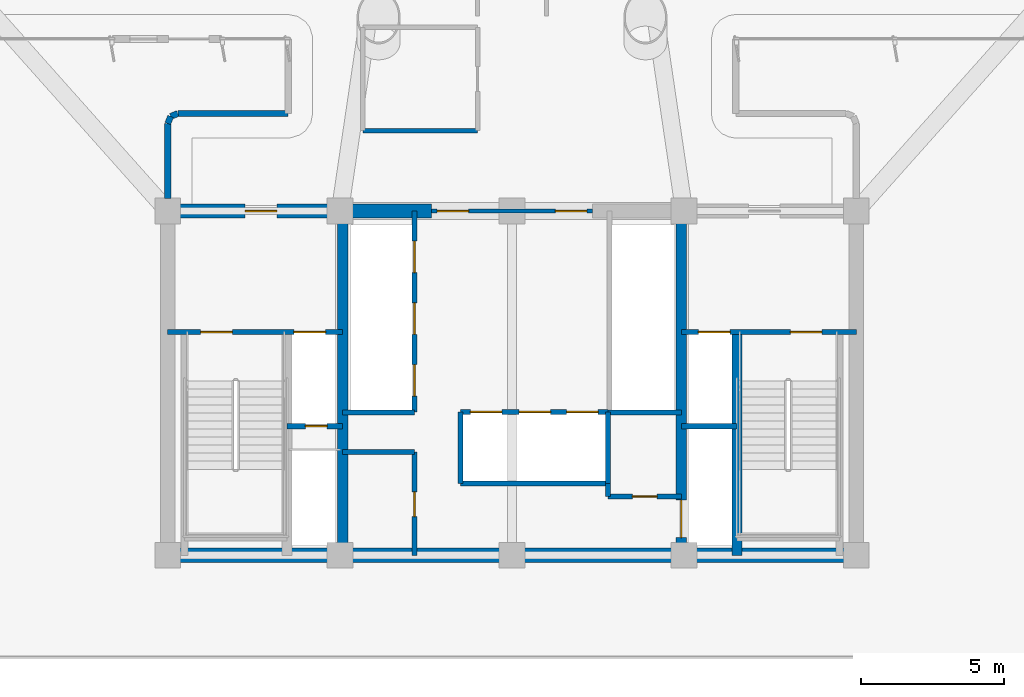
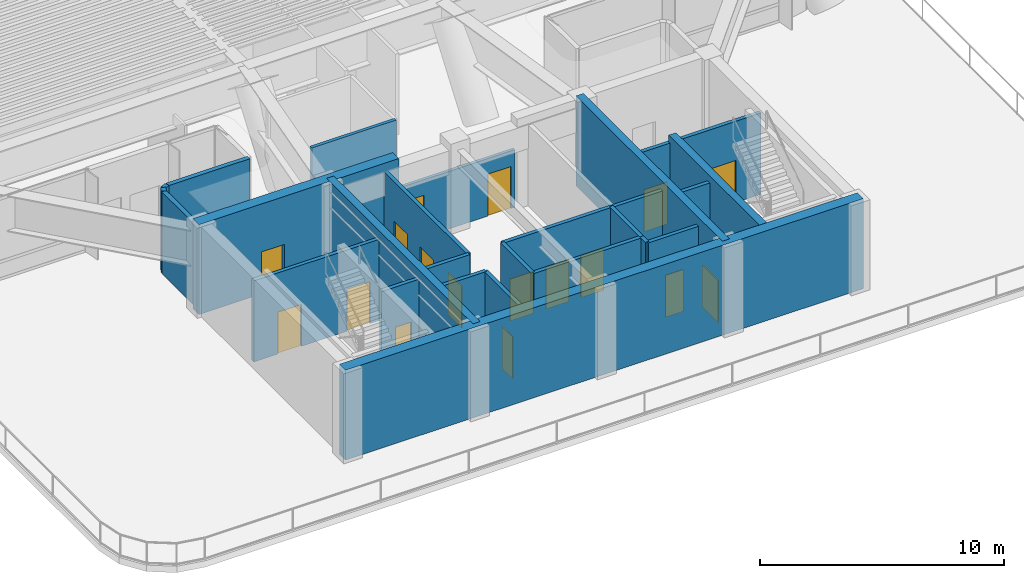
# One storey, part 8 of 14: 26 walls, 17 doors, 17 openings.
"""IFC4 building model written with IfcOpenShell, lengths in metres."""

from ifc_helpers import new_model, si_unit, direction, frame, frame_2d, origin, origin_2d, place, context, subcontext, project, spatial, rectangle, extrude, source, transform, mapped, material, layer, layer_set, type_object, element, fill, save


model = new_model("IFC4")

# Units and contexts
model_context = context("Model", 3, precision=1e-05, world=origin(), true_north=direction((0.0, 1.0)))
body_context = subcontext(model_context, "Body", "Model", "MODEL_VIEW")
ifc_project = project(units=[si_unit("LENGTHUNIT", "METRE"), si_unit("AREAUNIT", "SQUARE_METRE"), si_unit("VOLUMEUNIT", "CUBIC_METRE"), si_unit("PLANEANGLEUNIT", "RADIAN"), si_unit("MASSUNIT", "GRAM", prefix="KILO")], contexts=[model_context])

# Site, building, storey
site_placement = place(None, origin())
site = spatial("IfcSite", under=ifc_project, at=site_placement, CompositionType="ELEMENT")
building_placement = place(site_placement, origin())
building = spatial("IfcBuilding", under=site, at=building_placement, Name="Brelvock Crest Care Tower", CompositionType="ELEMENT")
storey_placement = place(building_placement, frame((0.0, 0.0, 85.320068359375)))
storey = spatial("IfcBuildingStorey", under=building, at=storey_placement, Name="L21", CompositionType="ELEMENT", Elevation=85.320068359375)

# Wall
ifc_material_1 = material(Name="Concrete S80 (80 MPa)", Category="concrete")
ifc_layer_1 = layer(ifc_material_1, 0.5, Name="WL-CS2")
ifc_layer_set_1 = layer_set([ifc_layer_1], Name="Concrete S80 (80 MPa)")
wall_type_1 = type_object("IfcWallType", Name="WL-CS2", PredefinedType="SHEAR", material=ifc_layer_set_1)
wall_1_placement = place(storey_placement, frame((48.25, 6.0, 0.0), z_axis=(0.0, 0.0, 1.0), x_axis=(-1.0, 0.0, 0.0)))
element("IfcWall", 1, at=wall_1_placement, inside=storey, type_object=wall_type_1, Name="L21 Core South Shear Wall", PredefinedType="SHEAR", context=body_context, shape_type="SweptSolid", body=[
    extrude(rectangle(XDim=24.5, YDim=0.5, at=frame_2d((12.25, 0.0))), origin(), (0.0, 0.0, 1.0), 4.5),
])

# Wall, opening, door
wall_2_placement = place(storey_placement, frame((23.75, 18.0, 0.0), z_axis=(0.0, 0.0, 1.0), x_axis=(1.0, 0.0, 0.0)))
wall_2 = element("IfcWall", 2, at=wall_2_placement, inside=storey, type_object=wall_type_1, Name="L21 Core North-West Shear Wall", PredefinedType="SHEAR", context=body_context, shape_type="SweptSolid", body=[
    extrude(rectangle(XDim=9.449951171875, YDim=0.5, at=frame_2d((4.72509765625, 0.0))), origin(), (0.0, 0.0, 1.0), 4.5),
])
opening_1_placement = place(wall_2_placement, frame((2.949951171875, 0.0, 0.0)))
opening_1 = element("IfcOpeningElement", 3, at=opening_1_placement, cuts=wall_2, Name="Opening FD-1", PredefinedType="OPENING", context=body_context, shape_type="SweptSolid", body=[
    extrude(rectangle(XDim=1.10009765625, YDim=2.10009765625, at=origin_2d()), frame((0.550048828125, 0.260009765625, 1.050048828125), z_axis=(0.0, -1.0, 0.0), x_axis=(1.0, 0.0, 0.0)), (0.0, 0.0, 1.0), 0.52001953125),
])
ifc_material_2 = material(Name="Steel Grade 350", Category="steel")
door_type_1 = type_object("IfcDoorType", Name="DR-FFL1", OperationType="NOTDEFINED", PredefinedType="DOOR", material=ifc_material_2)
shared_shape_1 = source(origin(), body_context, "Body", "SweptSolid", [
    extrude(rectangle(XDim=1.10009765625, YDim=2.10009765625, at=origin_2d()), frame((0.550048828125, 0.02490234375, 1.050048828125), z_axis=(0.0, -1.0, 0.0), x_axis=(1.0, 0.0, 0.0)), (0.0, 0.0, 1.0), 0.050048828125),
])
door_1_placement = place(opening_1_placement, origin())
door_1 = element("IfcDoor", 4, at=door_1_placement, inside=storey, type_object=door_type_1, Name="L21 Firefighting Lobby FFL-1 Exit Door", OperationType="SINGLE_SWING_LEFT", OverallHeight=2.10009765625, OverallWidth=1.10009765625, PredefinedType="DOOR", context=body_context, shape_type="MappedRepresentation", body=[
    mapped(shared_shape_1, transform((0.0, 0.0, 0.0), x_axis=(1.0, 0.0, 0.0), y_axis=(0.0, 1.0, 0.0), z_axis=(0.0, 0.0, 1.0), scale=1.0)),
])
fill(opening_1, door_1)

# Wall
ifc_layer_2 = layer(ifc_material_1, 0.35009765625, Name="WL-CS5")
ifc_layer_set_2 = layer_set([ifc_layer_2], Name="Concrete S80 (80 MPa)")
wall_type_2 = type_object("IfcWallType", Name="WL-CS5", PredefinedType="SHEAR", material=ifc_layer_set_2)
wall_3_placement = place(storey_placement, frame((30.10009765625, 6.0, 0.0), z_axis=(0.0, 0.0, 1.0), x_axis=(0.0, 1.0, 0.0)))
element("IfcWall", 5, at=wall_3_placement, inside=storey, type_object=wall_type_2, Name="L21 Core Internal Web Wall West", PredefinedType="SHEAR", context=body_context, shape_type="SweptSolid", body=[
    extrude(rectangle(XDim=12.0, YDim=0.35009765625, at=frame_2d((6.0, 0.0))), origin(), (0.0, 0.0, 1.0), 4.5),
])

# Wall, opening, door
wall_4_placement = place(storey_placement, frame((41.89990234375, 18.0, 0.0), z_axis=(0.0, 0.0, 1.0), x_axis=(0.0, -1.0, 0.0)))
wall_4 = element("IfcWall", 6, at=wall_4_placement, inside=storey, type_object=wall_type_2, Name="L21 Core Internal Web Wall East", PredefinedType="SHEAR", context=body_context, shape_type="SweptSolid", body=[
    extrude(rectangle(XDim=12.0, YDim=0.35009765625, at=frame_2d((6.0, 0.0))), origin(), (0.0, 0.0, 1.0), 4.5),
])
opening_2_placement = place(wall_4_placement, frame((10.080078125, 0.0, 0.0)))
opening_2 = element("IfcOpeningElement", 7, at=opening_2_placement, cuts=wall_4, Name="Opening LD-S", PredefinedType="OPENING", context=body_context, shape_type="SweptSolid", body=[
    extrude(rectangle(XDim=1.300048828125, YDim=2.10009765625, at=origin_2d()), frame((0.64990234375, 0.18505859375, 1.050048828125), z_axis=(0.0, -1.0, 0.0), x_axis=(1.0, 0.0, 0.0)), (0.0, 0.0, 1.0), 0.3701171875),
])
door_type_2 = type_object("IfcDoorType", Name="DR-LDS1", OperationType="NOTDEFINED", PredefinedType="DOOR", material=ifc_material_2)
shared_shape_2 = source(origin(), body_context, "Body", "SweptSolid", [
    extrude(rectangle(XDim=1.300048828125, YDim=2.10009765625, at=origin_2d()), frame((0.64990234375, 0.02490234375, 1.050048828125), z_axis=(0.0, -1.0, 0.0), x_axis=(1.0, 0.0, 0.0)), (0.0, 0.0, 1.0), 0.050048828125),
])
door_2_placement = place(opening_2_placement, origin())
door_2 = element("IfcDoor", 8, at=door_2_placement, inside=storey, type_object=door_type_2, Name="L21 Clinical Bed Lift SL-1 Landing Door", OperationType="SLIDING_TO_LEFT", OverallHeight=2.10009765625, OverallWidth=1.300048828125, PredefinedType="DOOR", context=body_context, shape_type="MappedRepresentation", body=[
    mapped(shared_shape_2, transform((0.0, 0.0, 0.0), x_axis=(1.0, 0.0, 0.0), y_axis=(0.0, 1.0, 0.0), z_axis=(0.0, 0.0, 1.0), scale=1.0)),
])
fill(opening_2, door_2)

# Walls
wall_5_placement = place(storey_placement, frame((43.85009765625, 6.0, 0.0), z_axis=(0.0, 0.0, 1.0), x_axis=(0.0, 1.0, 0.0)))
element("IfcWall", 9, at=wall_5_placement, inside=storey, type_object=wall_type_2, Name="L21 Core Stair ST-2 West Shear Wall", PredefinedType="SHEAR", context=body_context, shape_type="SweptSolid", body=[
    extrude(rectangle(XDim=7.780029296875, YDim=0.35009765625, at=frame_2d((3.89013671875, 0.0))), origin(), (0.0, 0.0, 1.0), 4.411865234375),
])
ifc_material_3 = material(Name="Precast concrete N40 (40 MPa)", Category="concrete")
ifc_layer_3 = layer(ifc_material_3, 0.215087890625, Name="WL-EX2")
ifc_layer_set_3 = layer_set([ifc_layer_3], Name="Precast concrete N40 (40 MPa)")
wall_type_3 = type_object("IfcWallType", Name="WL-EX2", PredefinedType="SOLIDWALL", material=ifc_layer_set_3)
wall_6_placement = place(storey_placement, frame((24.0, 18.429931640625, 0.0), z_axis=(0.0, 0.0, 1.0), x_axis=(0.0, 1.0, 0.0)))
element("IfcWall", 10, at=wall_6_placement, inside=storey, type_object=wall_type_3, Name="L21 Rounded Corner Wall 07", PredefinedType="SOLIDWALL", context=body_context, shape_type="SweptSolid", body=[
    extrude(rectangle(XDim=2.6201171875, YDim=0.215087890625, at=frame_2d((1.31005859375, 0.0))), origin(), (0.0, 0.0, 1.0), 4.092041015625),
])
wall_7_placement = place(storey_placement, frame((24.0, 21.050048828125, 0.0), z_axis=(0.0, 0.0, 1.0), x_axis=(0.382673670509, 0.923883575944, 0.0)))
element("IfcWall", 11, at=wall_7_placement, inside=storey, type_object=wall_type_3, Name="L21 Rounded Corner Wall 08", PredefinedType="SOLIDWALL", context=body_context, shape_type="SweptSolid", body=[
    extrude(rectangle(XDim=0.26806640625, YDim=0.215087890625, at=frame_2d((0.134033203125, 0.0))), origin(), (0.0, 0.0, 1.0), 4.092041015625),
])
wall_8_placement = place(storey_placement, frame((24.1025390625, 21.297607421875, 0.0), z_axis=(0.0, 0.0, 1.0), x_axis=(0.924205486139, 0.381895560841, 0.0)))
element("IfcWall", 12, at=wall_8_placement, inside=storey, type_object=wall_type_3, Name="L21 Rounded Corner Wall 09", PredefinedType="SOLIDWALL", context=body_context, shape_type="SweptSolid", body=[
    extrude(rectangle(XDim=0.267822265625, YDim=0.215087890625, at=frame_2d((0.1337890625, 0.0))), origin(), (0.0, 0.0, 1.0), 4.092041015625),
])
wall_9_placement = place(storey_placement, frame((24.35009765625, 21.39990234375, 0.0), z_axis=(0.0, 0.0, 1.0), x_axis=(1.0, 0.0, 0.0)))
element("IfcWall", 13, at=wall_9_placement, inside=storey, type_object=wall_type_3, Name="L21 Rounded Corner Wall 10", PredefinedType="SOLIDWALL", context=body_context, shape_type="SweptSolid", body=[
    extrude(rectangle(XDim=3.849853515625, YDim=0.215087890625, at=frame_2d((1.9248046875, 0.0))), origin(), (0.0, 0.0, 1.0), 4.092041015625),
])

# Wall, openings, doors
ifc_material_4 = material(Name="Masonry Blockwork Acoustic Partition", Category="masonry")
ifc_layer_4 = layer(ifc_material_4, 0.14990234375, Name="WL-INT1")
ifc_layer_set_4 = layer_set([ifc_layer_4], Name="Masonry Blockwork Acoustic Partition")
wall_type_4 = type_object("IfcWallType", Name="WL-INT1", PredefinedType="PARTITIONING", material=ifc_layer_set_4)
wall_10_placement = place(storey_placement, frame((33.199951171875, 18.0, 0.0), z_axis=(0.0, 0.0, 1.0), x_axis=(1.0, 0.0, 0.0)))
wall_10 = element("IfcWall", 14, at=wall_10_placement, inside=storey, type_object=wall_type_4, Name="L21 Interior Wall WL-CORE-NPORT-L21", PredefinedType="PARTITIONING", context=body_context, shape_type="SweptSolid", body=[
    extrude(rectangle(XDim=5.60009765625, YDim=0.14990234375, at=frame_2d((2.800048828125, 0.0))), origin(), (0.0, 0.0, 1.0), 2.876953125),
])
opening_3_placement = place(wall_10_placement, frame((0.18994140625, 0.0, 0.0)))
opening_3 = element("IfcOpeningElement", 15, at=opening_3_placement, cuts=wall_10, Name="Opening FD-1", PredefinedType="OPENING", context=body_context, shape_type="SweptSolid", body=[
    extrude(rectangle(XDim=1.10009765625, YDim=2.10009765625, at=origin_2d()), frame((0.550048828125, 0.0849609375, 1.050048828125), z_axis=(0.0, -1.0, 0.0), x_axis=(1.0, 0.0, 0.0)), (0.0, 0.0, 1.0), 0.169921875),
])
opening_4_placement = place(wall_10_placement, frame((4.31005859375, 0.0, 0.0)))
opening_4 = element("IfcOpeningElement", 16, at=opening_4_placement, cuts=wall_10, Name="Opening FD-1", PredefinedType="OPENING", context=body_context, shape_type="SweptSolid", body=[
    extrude(rectangle(XDim=1.10009765625, YDim=2.10009765625, at=origin_2d()), frame((0.550048828125, 0.0849609375, 1.050048828125), z_axis=(0.0, -1.0, 0.0), x_axis=(1.0, 0.0, 0.0)), (0.0, 0.0, 1.0), 0.169921875),
])
door_3_placement = place(opening_3_placement, origin())
door_3 = element("IfcDoor", 17, at=door_3_placement, inside=storey, type_object=door_type_1, Name="L21 Lift Lobby North Smoke Door West", OperationType="SINGLE_SWING_LEFT", OverallHeight=2.10009765625, OverallWidth=1.10009765625, PredefinedType="DOOR", context=body_context, shape_type="MappedRepresentation", body=[
    mapped(shared_shape_1, transform((0.0, 0.0, 0.0), x_axis=(1.0, 0.0, 0.0), y_axis=(0.0, 1.0, 0.0), z_axis=(0.0, 0.0, 1.0), scale=1.0)),
])
fill(opening_3, door_3)
door_4_placement = place(opening_4_placement, origin())
door_4 = element("IfcDoor", 18, at=door_4_placement, inside=storey, type_object=door_type_1, Name="L21 Lift Lobby North Smoke Door East", OperationType="SINGLE_SWING_RIGHT", OverallHeight=2.10009765625, OverallWidth=1.10009765625, PredefinedType="DOOR", context=body_context, shape_type="MappedRepresentation", body=[
    mapped(shared_shape_1, transform((0.0, 0.0, 0.0), x_axis=(1.0, 0.0, 0.0), y_axis=(0.0, 1.0, 0.0), z_axis=(0.0, 0.0, 1.0), scale=1.0)),
])
fill(opening_4, door_4)

# Walls
ifc_material_5 = material(Name="Gypsum Plasterboard Partition", Category="gypsum")
ifc_layer_5 = layer(ifc_material_5, 0.159912109375, Name="WL-PLM1")
ifc_layer_set_5 = layer_set([ifc_layer_5], Name="Gypsum Plasterboard Partition")
wall_type_5 = type_object("IfcWallType", Name="WL-PLM1", PredefinedType="PLUMBINGWALL", material=ifc_layer_set_5)
wall_11_placement = place(storey_placement, frame((30.800048828125, 20.800048828125, 0.0), z_axis=(0.0, 0.0, 1.0), x_axis=(1.0, 0.0, 0.0)))
element("IfcWall", 19, at=wall_11_placement, inside=storey, type_object=wall_type_5, Name="L21 Interior Wall WL-BX-L21-AWC-S", PredefinedType="PLUMBINGWALL", context=body_context, shape_type="SweptSolid", body=[
    extrude(rectangle(XDim=4.0, YDim=0.159912109375, at=frame_2d((2.0, 0.0))), origin(), (0.0, 0.0, 1.0), 4.06201171875),
])
ifc_layer_6 = layer(ifc_material_4, 0.179931640625, Name="WL-SHF1")
ifc_layer_set_6 = layer_set([ifc_layer_6], Name="Masonry Blockwork Acoustic Partition")
wall_type_6 = type_object("IfcWallType", Name="WL-SHF1", PredefinedType="PARTITIONING", material=ifc_layer_set_6)
wall_12_placement = place(storey_placement, frame((34.199951171875, 8.5, 0.0), z_axis=(0.0, 0.0, 1.0), x_axis=(1.0, 0.0, 0.0)))
element("IfcWall", 20, at=wall_12_placement, inside=storey, type_object=wall_type_6, Name="L21 Interior Wall WL-PLM-S-L21", PredefinedType="PARTITIONING", context=body_context, shape_type="SweptSolid", body=[
    extrude(rectangle(XDim=5.150146484375, YDim=0.179931640625, at=frame_2d((2.5751953125, 0.0))), origin(), (0.0, 0.0, 1.0), 4.06201171875),
])
for number, where, z_axis, x_axis, name in (
    (21, (34.199951171875, 8.5, 0.0), (0.0, 0.0, 1.0), (0.0, 1.0, 0.0), "L21 Interior Wall WL-PLM-W-L21"),
    (22, (39.35009765625, 8.5, 0.0), (0.0, 0.0, 1.0), (0.0, 1.0, 0.0), "L21 Interior Wall WL-PLM-E-L21"),
    (23, (30.10009765625, 10.97998046875, 0.0), (0.0, 0.0, 1.0), (1.0, 0.0, 0.0), "L21 Interior Wall WL-CSBW-N-L21"),
    (24, (30.10009765625, 9.60009765625, 0.0), (0.0, 0.0, 1.0), (1.0, 0.0, 0.0), "L21 Interior Wall WL-CSBW-S1-L21"),
):
    element("IfcWall", number, at=place(storey_placement, frame(where, z_axis=z_axis, x_axis=x_axis)), inside=storey, type_object=wall_type_6, Name=name, PredefinedType="PARTITIONING", context=body_context, shape_type="SweptSolid", body=[
        extrude(rectangle(XDim=2.5, YDim=0.179931640625, at=frame_2d((1.25, 0.0))), origin(), (0.0, 0.0, 1.0), 4.06201171875),
    ])

# Wall, opening, door
wall_13_placement = place(storey_placement, frame((32.60009765625, 6.0, 0.0), z_axis=(0.0, 0.0, 1.0), x_axis=(0.0, 1.0, 0.0)))
wall_13 = element("IfcWall", 25, at=wall_13_placement, inside=storey, type_object=wall_type_6, Name="L21 Interior Wall WL-CSBW-E-L21", PredefinedType="PARTITIONING", context=body_context, shape_type="SweptSolid", body=[
    extrude(rectangle(XDim=3.60009765625, YDim=0.179931640625, at=frame_2d((1.800048828125, 0.0))), origin(), (0.0, 0.0, 1.0), 4.06201171875),
])
opening_5_placement = place(wall_13_placement, frame((1.35009765625, 0.0, 0.0)))
opening_5 = element("IfcOpeningElement", 26, at=opening_5_placement, cuts=wall_13, Name="Opening ID-1", PredefinedType="OPENING", context=body_context, shape_type="SweptSolid", body=[
    extrude(rectangle(XDim=0.860107421875, YDim=2.10009765625, at=origin_2d()), frame((0.43017578125, 0.10009765625, 1.050048828125), z_axis=(0.0, -1.0, 0.0), x_axis=(1.0, 0.0, 0.0)), (0.0, 0.0, 1.0), 0.199951171875),
])
ifc_material_6 = material(Name="Engineered Hardwood Timber", Category="wood")
door_type_3 = type_object("IfcDoorType", Name="DR-INT1", OperationType="NOTDEFINED", PredefinedType="DOOR", material=ifc_material_6)
shared_shape_3 = source(origin(), body_context, "Body", "SweptSolid", [
    extrude(rectangle(XDim=0.860107421875, YDim=2.10009765625, at=origin_2d()), frame((0.43017578125, 0.02490234375, 1.050048828125), z_axis=(0.0, -1.0, 0.0), x_axis=(1.0, 0.0, 0.0)), (0.0, 0.0, 1.0), 0.050048828125),
])
door_5_placement = place(opening_5_placement, origin())
door_5 = element("IfcDoor", 27, at=door_5_placement, inside=storey, type_object=door_type_3, Name="DR-CSBW-L21", OperationType="SINGLE_SWING_LEFT", OverallHeight=2.10009765625, OverallWidth=0.860107421875, PredefinedType="DOOR", context=body_context, shape_type="MappedRepresentation", body=[
    mapped(shared_shape_3, transform((0.0, 0.0, 0.0), x_axis=(1.0, 0.0, 0.0), y_axis=(0.0, 1.0, 0.0), z_axis=(0.0, 0.0, 1.0), scale=1.0)),
])
fill(opening_5, door_5)

# Walls
wall_14_placement = place(storey_placement, frame((39.35009765625, 10.97998046875, 0.0), z_axis=(0.0, 0.0, 1.0), x_axis=(1.0, 0.0, 0.0)))
element("IfcWall", 28, at=wall_14_placement, inside=storey, type_object=wall_type_6, Name="L21 Interior Wall WL-CSBE-N-L21", PredefinedType="PARTITIONING", context=body_context, shape_type="SweptSolid", body=[
    extrude(rectangle(XDim=2.5498046875, YDim=0.179931640625, at=frame_2d((1.27490234375, 0.0))), origin(), (0.0, 0.0, 1.0), 4.06201171875),
])
wall_15_placement = place(storey_placement, frame((39.35009765625, 8.050048828125, 0.0), z_axis=(0.0, 0.0, 1.0), x_axis=(0.0, 1.0, 0.0)))
element("IfcWall", 29, at=wall_15_placement, inside=storey, type_object=wall_type_6, Name="L21 Interior Wall WL-CSBE-W-L21", PredefinedType="PARTITIONING", context=body_context, shape_type="SweptSolid", body=[
    extrude(rectangle(XDim=0.449951171875, YDim=0.179931640625, at=frame_2d((0.22509765625, 0.0))), origin(), (0.0, 0.0, 1.0), 4.06201171875),
])

# Wall, opening, door
wall_16_placement = place(storey_placement, frame((39.35009765625, 8.050048828125, 0.0), z_axis=(0.0, 0.0, 1.0), x_axis=(1.0, 0.0, 0.0)))
wall_16 = element("IfcWall", 30, at=wall_16_placement, inside=storey, type_object=wall_type_6, Name="L21 Interior Wall WL-CSBE-S-L21", PredefinedType="PARTITIONING", context=body_context, shape_type="SweptSolid", body=[
    extrude(rectangle(XDim=2.5498046875, YDim=0.179931640625, at=frame_2d((1.27490234375, 0.0))), origin(), (0.0, 0.0, 1.0), 4.06201171875),
])
opening_6_placement = place(wall_16_placement, frame((0.85009765625, 0.0, 0.0)))
opening_6 = element("IfcOpeningElement", 31, at=opening_6_placement, cuts=wall_16, Name="Opening ID-1", PredefinedType="OPENING", context=body_context, shape_type="SweptSolid", body=[
    extrude(rectangle(XDim=0.860107421875, YDim=2.10009765625, at=origin_2d()), frame((0.43017578125, 0.10009765625, 1.050048828125), z_axis=(0.0, -1.0, 0.0), x_axis=(1.0, 0.0, 0.0)), (0.0, 0.0, 1.0), 0.199951171875),
])
door_6_placement = place(opening_6_placement, origin())
door_6 = element("IfcDoor", 32, at=door_6_placement, inside=storey, type_object=door_type_3, Name="DR-CSBE-L21", OperationType="SINGLE_SWING_LEFT", OverallHeight=2.10009765625, OverallWidth=0.860107421875, PredefinedType="DOOR", context=body_context, shape_type="MappedRepresentation", body=[
    mapped(shared_shape_3, transform((0.0, 0.0, 0.0), x_axis=(1.0, 0.0, 0.0), y_axis=(0.0, 1.0, 0.0), z_axis=(0.0, 0.0, 1.0), scale=1.0)),
])
fill(opening_6, door_6)

# Wall, openings, doors
wall_17_placement = place(storey_placement, frame((24.0, 13.780029296875, 0.0), z_axis=(0.0, 0.0, 1.0), x_axis=(1.0, 0.0, 0.0)))
wall_17 = element("IfcWall", 33, at=wall_17_placement, inside=storey, type_object=wall_type_6, Name="L21 Interior Wall WL-ST1-N-L21", PredefinedType="PARTITIONING", context=body_context, shape_type="SweptSolid", body=[
    extrude(rectangle(XDim=6.10009765625, YDim=0.179931640625, at=frame_2d((3.050048828125, 0.0))), origin(), (0.0, 0.0, 1.0), 4.06201171875),
])
opening_7_placement = place(wall_17_placement, frame((1.14990234375, 0.0, 0.0)))
opening_7 = element("IfcOpeningElement", 34, at=opening_7_placement, cuts=wall_17, Name="Opening SD-1", PredefinedType="OPENING", context=body_context, shape_type="SweptSolid", body=[
    extrude(rectangle(XDim=1.10009765625, YDim=2.10009765625, at=origin_2d()), frame((0.550048828125, 0.10009765625, 1.050048828125), z_axis=(0.0, -1.0, 0.0), x_axis=(1.0, 0.0, 0.0)), (0.0, 0.0, 1.0), 0.199951171875),
])
opening_8_placement = place(wall_17_placement, frame((4.39990234375, 0.0, 0.0)))
opening_8 = element("IfcOpeningElement", 35, at=opening_8_placement, cuts=wall_17, Name="Opening LD", PredefinedType="OPENING", context=body_context, shape_type="SweptSolid", body=[
    extrude(rectangle(XDim=1.10009765625, YDim=2.10009765625, at=origin_2d()), frame((0.550048828125, 0.10009765625, 1.050048828125), z_axis=(0.0, -1.0, 0.0), x_axis=(1.0, 0.0, 0.0)), (0.0, 0.0, 1.0), 0.199951171875),
])
door_type_4 = type_object("IfcDoorType", Name="DR-ST1", OperationType="NOTDEFINED", PredefinedType="DOOR", material=ifc_material_2)
shared_shape_4 = source(origin(), body_context, "Body", "SweptSolid", [
    extrude(rectangle(XDim=1.10009765625, YDim=2.10009765625, at=origin_2d()), frame((0.550048828125, 0.02490234375, 1.050048828125), z_axis=(0.0, -1.0, 0.0), x_axis=(1.0, 0.0, 0.0)), (0.0, 0.0, 1.0), 0.050048828125),
])
door_7_placement = place(opening_7_placement, origin())
door_7 = element("IfcDoor", 36, at=door_7_placement, inside=storey, type_object=door_type_4, Name="L21 Fire Stair ST-1 Door", OperationType="SINGLE_SWING_LEFT", OverallHeight=2.10009765625, OverallWidth=1.10009765625, PredefinedType="DOOR", context=body_context, shape_type="MappedRepresentation", body=[
    mapped(shared_shape_4, transform((0.0, 0.0, 0.0), x_axis=(1.0, 0.0, 0.0), y_axis=(0.0, 1.0, 0.0), z_axis=(0.0, 0.0, 1.0), scale=1.0)),
])
fill(opening_7, door_7)
door_type_5 = type_object("IfcDoorType", Name="DR-LD1", OperationType="NOTDEFINED", PredefinedType="DOOR", material=ifc_material_2)
shared_shape_5 = source(origin(), body_context, "Body", "SweptSolid", [
    extrude(rectangle(XDim=1.10009765625, YDim=2.10009765625, at=origin_2d()), frame((0.550048828125, 0.02490234375, 1.050048828125), z_axis=(0.0, -1.0, 0.0), x_axis=(1.0, 0.0, 0.0)), (0.0, 0.0, 1.0), 0.050048828125),
])
door_8_placement = place(opening_8_placement, origin())
door_8 = element("IfcDoor", 37, at=door_8_placement, inside=storey, type_object=door_type_5, Name="L21 Firefighting Lift FFL-1 Landing Door", OperationType="SLIDING_TO_LEFT", OverallHeight=2.10009765625, OverallWidth=1.10009765625, PredefinedType="DOOR", context=body_context, shape_type="MappedRepresentation", body=[
    mapped(shared_shape_5, transform((0.0, 0.0, 0.0), x_axis=(1.0, 0.0, 0.0), y_axis=(0.0, 1.0, 0.0), z_axis=(0.0, 0.0, 1.0), scale=1.0)),
])
fill(opening_8, door_8)

# Wall, opening, door
wall_18_placement = place(storey_placement, frame((28.14990234375, 10.5, 0.0), z_axis=(0.0, 0.0, 1.0), x_axis=(1.0, 0.0, 0.0)))
wall_18 = element("IfcWall", 38, at=wall_18_placement, inside=storey, type_object=wall_type_6, Name="L21 Interior Wall WL-FFH1-S-L21", PredefinedType="PARTITIONING", context=body_context, shape_type="SweptSolid", body=[
    extrude(rectangle(XDim=1.9501953125, YDim=0.179931640625, at=frame_2d((0.97509765625, 0.0))), origin(), (0.0, 0.0, 1.0), 4.06201171875),
])
opening_9_placement = place(wall_18_placement, frame((0.64990234375, 0.0, 0.0)))
opening_9 = element("IfcOpeningElement", 39, at=opening_9_placement, cuts=wall_18, Name="Opening RD-1", PredefinedType="OPENING", context=body_context, shape_type="SweptSolid", body=[
    extrude(rectangle(XDim=0.760009765625, YDim=2.050048828125, at=origin_2d()), frame((0.3798828125, 0.10009765625, 1.02490234375), z_axis=(0.0, -1.0, 0.0), x_axis=(1.0, 0.0, 0.0)), (0.0, 0.0, 1.0), 0.199951171875),
])
door_type_6 = type_object("IfcDoorType", Name="DR-RIS1", OperationType="NOTDEFINED", PredefinedType="DOOR", material=ifc_material_2)
shared_shape_6 = source(origin(), body_context, "Body", "SweptSolid", [
    extrude(rectangle(XDim=0.760009765625, YDim=2.050048828125, at=origin_2d()), frame((0.3798828125, 0.02490234375, 1.02490234375), z_axis=(0.0, -1.0, 0.0), x_axis=(1.0, 0.0, 0.0)), (0.0, 0.0, 1.0), 0.050048828125),
])
door_9_placement = place(opening_9_placement, origin())
door_9 = element("IfcDoor", 40, at=door_9_placement, inside=storey, type_object=door_type_6, Name="L21 Wet Fire Riser Access Door", OperationType="SINGLE_SWING_LEFT", OverallHeight=2.050048828125, OverallWidth=0.760009765625, PredefinedType="DOOR", context=body_context, shape_type="MappedRepresentation", body=[
    mapped(shared_shape_6, transform((0.0, 0.0, 0.0), x_axis=(1.0, 0.0, 0.0), y_axis=(0.0, 1.0, 0.0), z_axis=(0.0, 0.0, 1.0), scale=1.0)),
])
fill(opening_9, door_9)

# Wall, openings, doors
wall_19_placement = place(storey_placement, frame((41.89990234375, 13.780029296875, 0.0), z_axis=(0.0, 0.0, 1.0), x_axis=(1.0, 0.0, 0.0)))
wall_19 = element("IfcWall", 41, at=wall_19_placement, inside=storey, type_object=wall_type_6, Name="L21 Interior Wall WL-ST2-N-L21", PredefinedType="PARTITIONING", context=body_context, shape_type="SweptSolid", body=[
    extrude(rectangle(XDim=6.10009765625, YDim=0.179931640625, at=frame_2d((3.050048828125, 0.0))), origin(), (0.0, 0.0, 1.0), 4.06201171875),
])
opening_10_placement = place(wall_19_placement, frame((0.60009765625, 0.0, 0.0)))
opening_10 = element("IfcOpeningElement", 42, at=opening_10_placement, cuts=wall_19, Name="Opening LD", PredefinedType="OPENING", context=body_context, shape_type="SweptSolid", body=[
    extrude(rectangle(XDim=1.10009765625, YDim=2.10009765625, at=origin_2d()), frame((0.550048828125, 0.10009765625, 1.050048828125), z_axis=(0.0, -1.0, 0.0), x_axis=(1.0, 0.0, 0.0)), (0.0, 0.0, 1.0), 0.199951171875),
])
opening_11_placement = place(wall_19_placement, frame((3.800048828125, 0.0, 0.0)))
opening_11 = element("IfcOpeningElement", 43, at=opening_11_placement, cuts=wall_19, Name="Opening SD-1", PredefinedType="OPENING", context=body_context, shape_type="SweptSolid", body=[
    extrude(rectangle(XDim=1.10009765625, YDim=2.10009765625, at=origin_2d()), frame((0.550048828125, 0.10009765625, 1.050048828125), z_axis=(0.0, -1.0, 0.0), x_axis=(1.0, 0.0, 0.0)), (0.0, 0.0, 1.0), 0.199951171875),
])
door_10_placement = place(opening_11_placement, origin())
door_10 = element("IfcDoor", 44, at=door_10_placement, inside=storey, type_object=door_type_4, Name="L21 Fire Stair ST-2 Door", OperationType="SINGLE_SWING_RIGHT", OverallHeight=2.10009765625, OverallWidth=1.10009765625, PredefinedType="DOOR", context=body_context, shape_type="MappedRepresentation", body=[
    mapped(shared_shape_4, transform((0.0, 0.0, 0.0), x_axis=(1.0, 0.0, 0.0), y_axis=(0.0, 1.0, 0.0), z_axis=(0.0, 0.0, 1.0), scale=1.0)),
])
fill(opening_11, door_10)
door_11_placement = place(opening_10_placement, origin())
door_11 = element("IfcDoor", 45, at=door_11_placement, inside=storey, type_object=door_type_5, Name="L21 Firefighting Lift FFL-2 Landing Door", OperationType="SLIDING_TO_RIGHT", OverallHeight=2.10009765625, OverallWidth=1.10009765625, PredefinedType="DOOR", context=body_context, shape_type="MappedRepresentation", body=[
    mapped(shared_shape_5, transform((0.0, 0.0, 0.0), x_axis=(1.0, 0.0, 0.0), y_axis=(0.0, 1.0, 0.0), z_axis=(0.0, 0.0, 1.0), scale=1.0)),
])
fill(opening_10, door_11)

# Wall
wall_20_placement = place(storey_placement, frame((41.89990234375, 10.5, 0.0), z_axis=(0.0, 0.0, 1.0), x_axis=(1.0, 0.0, 0.0)))
element("IfcWall", 46, at=wall_20_placement, inside=storey, type_object=wall_type_6, Name="L21 Interior Wall WL-FFH2-S-L21", PredefinedType="PARTITIONING", context=body_context, shape_type="SweptSolid", body=[
    extrude(rectangle(XDim=1.9501953125, YDim=0.179931640625, at=frame_2d((0.97509765625, 0.0))), origin(), (0.0, 0.0, 1.0), 4.06201171875),
])

# Wall, openings, doors
wall_21_placement = place(storey_placement, frame((32.60009765625, 11.0, 0.0), z_axis=(0.0, 0.0, 1.0), x_axis=(0.0, 1.0, 0.0)))
wall_21 = element("IfcWall", 47, at=wall_21_placement, inside=storey, type_object=wall_type_6, Name="L21 Interior Wall WL-PLL-BANK-L21", PredefinedType="PARTITIONING", context=body_context, shape_type="SweptSolid", body=[
    extrude(rectangle(XDim=7.0, YDim=0.179931640625, at=frame_2d((3.5, 0.0))), origin(), (0.0, 0.0, 1.0), 4.06201171875),
])
opening_12_placement = place(wall_21_placement, frame((0.550048828125, 0.0, 0.0)))
opening_12 = element("IfcOpeningElement", 48, at=opening_12_placement, cuts=wall_21, Name="Opening LD", PredefinedType="OPENING", context=body_context, shape_type="SweptSolid", body=[
    extrude(rectangle(XDim=1.10009765625, YDim=2.10009765625, at=origin_2d()), frame((0.550048828125, 0.10009765625, 1.050048828125), z_axis=(0.0, -1.0, 0.0), x_axis=(1.0, 0.0, 0.0)), (0.0, 0.0, 1.0), 0.199951171875),
])
opening_13_placement = place(wall_21_placement, frame((2.699951171875, 0.0, 0.0)))
opening_13 = element("IfcOpeningElement", 49, at=opening_13_placement, cuts=wall_21, Name="Opening LD", PredefinedType="OPENING", context=body_context, shape_type="SweptSolid", body=[
    extrude(rectangle(XDim=1.10009765625, YDim=2.10009765625, at=origin_2d()), frame((0.550048828125, 0.10009765625, 1.050048828125), z_axis=(0.0, -1.0, 0.0), x_axis=(1.0, 0.0, 0.0)), (0.0, 0.0, 1.0), 0.199951171875),
])
opening_14_placement = place(wall_21_placement, frame((4.85009765625, 0.0, 0.0)))
opening_14 = element("IfcOpeningElement", 50, at=opening_14_placement, cuts=wall_21, Name="Opening LD", PredefinedType="OPENING", context=body_context, shape_type="SweptSolid", body=[
    extrude(rectangle(XDim=1.10009765625, YDim=2.10009765625, at=origin_2d()), frame((0.550048828125, 0.10009765625, 1.050048828125), z_axis=(0.0, -1.0, 0.0), x_axis=(1.0, 0.0, 0.0)), (0.0, 0.0, 1.0), 0.199951171875),
])
door_12_placement = place(opening_12_placement, origin())
door_12 = element("IfcDoor", 51, at=door_12_placement, inside=storey, type_object=door_type_5, Name="L21 Lift PL-L1 Landing Door", OperationType="SLIDING_TO_LEFT", OverallHeight=2.10009765625, OverallWidth=1.10009765625, PredefinedType="DOOR", context=body_context, shape_type="MappedRepresentation", body=[
    mapped(shared_shape_5, transform((0.0, 0.0, 0.0), x_axis=(1.0, 0.0, 0.0), y_axis=(0.0, 1.0, 0.0), z_axis=(0.0, 0.0, 1.0), scale=1.0)),
])
fill(opening_12, door_12)
door_13_placement = place(opening_13_placement, origin())
door_13 = element("IfcDoor", 52, at=door_13_placement, inside=storey, type_object=door_type_5, Name="L21 Lift PL-L2 Landing Door", OperationType="SLIDING_TO_LEFT", OverallHeight=2.10009765625, OverallWidth=1.10009765625, PredefinedType="DOOR", context=body_context, shape_type="MappedRepresentation", body=[
    mapped(shared_shape_5, transform((0.0, 0.0, 0.0), x_axis=(1.0, 0.0, 0.0), y_axis=(0.0, 1.0, 0.0), z_axis=(0.0, 0.0, 1.0), scale=1.0)),
])
fill(opening_13, door_13)
door_14_placement = place(opening_14_placement, origin())
door_14 = element("IfcDoor", 53, at=door_14_placement, inside=storey, type_object=door_type_5, Name="L21 Lift PL-L3 Landing Door", OperationType="SLIDING_TO_LEFT", OverallHeight=2.10009765625, OverallWidth=1.10009765625, PredefinedType="DOOR", context=body_context, shape_type="MappedRepresentation", body=[
    mapped(shared_shape_5, transform((0.0, 0.0, 0.0), x_axis=(1.0, 0.0, 0.0), y_axis=(0.0, 1.0, 0.0), z_axis=(0.0, 0.0, 1.0), scale=1.0)),
])
fill(opening_14, door_14)

wall_22_placement = place(storey_placement, frame((34.199951171875, 11.0, 0.0), z_axis=(0.0, 0.0, 1.0), x_axis=(1.0, 0.0, 0.0)))
wall_22 = element("IfcWall", 54, at=wall_22_placement, inside=storey, type_object=wall_type_6, Name="L21 Interior Wall WL-PLM-BANK-L21", PredefinedType="PARTITIONING", context=body_context, shape_type="SweptSolid", body=[
    extrude(rectangle(XDim=5.150146484375, YDim=0.179931640625, at=frame_2d((2.5751953125, 0.0))), origin(), (0.0, 0.0, 1.0), 4.06201171875),
])
opening_15_placement = place(wall_22_placement, frame((0.35009765625, 0.0, 0.0)))
opening_15 = element("IfcOpeningElement", 55, at=opening_15_placement, cuts=wall_22, Name="Opening LD", PredefinedType="OPENING", context=body_context, shape_type="SweptSolid", body=[
    extrude(rectangle(XDim=1.10009765625, YDim=2.10009765625, at=origin_2d()), frame((0.550048828125, 0.10009765625, 1.050048828125), z_axis=(0.0, -1.0, 0.0), x_axis=(1.0, 0.0, 0.0)), (0.0, 0.0, 1.0), 0.199951171875),
])
opening_16_placement = place(wall_22_placement, frame((2.050048828125, 0.0, 0.0)))
opening_16 = element("IfcOpeningElement", 56, at=opening_16_placement, cuts=wall_22, Name="Opening LD", PredefinedType="OPENING", context=body_context, shape_type="SweptSolid", body=[
    extrude(rectangle(XDim=1.10009765625, YDim=2.10009765625, at=origin_2d()), frame((0.550048828125, 0.10009765625, 1.050048828125), z_axis=(0.0, -1.0, 0.0), x_axis=(1.0, 0.0, 0.0)), (0.0, 0.0, 1.0), 0.199951171875),
])
opening_17_placement = place(wall_22_placement, frame((3.699951171875, 0.0, 0.0)))
opening_17 = element("IfcOpeningElement", 57, at=opening_17_placement, cuts=wall_22, Name="Opening LD", PredefinedType="OPENING", context=body_context, shape_type="SweptSolid", body=[
    extrude(rectangle(XDim=1.10009765625, YDim=2.10009765625, at=origin_2d()), frame((0.550048828125, 0.10009765625, 1.050048828125), z_axis=(0.0, -1.0, 0.0), x_axis=(1.0, 0.0, 0.0)), (0.0, 0.0, 1.0), 0.199951171875),
])
door_15_placement = place(opening_15_placement, origin())
door_15 = element("IfcDoor", 58, at=door_15_placement, inside=storey, type_object=door_type_5, Name="L21 Lift PL-M1 Landing Door", OperationType="SLIDING_TO_LEFT", OverallHeight=2.10009765625, OverallWidth=1.10009765625, PredefinedType="DOOR", context=body_context, shape_type="MappedRepresentation", body=[
    mapped(shared_shape_5, transform((0.0, 0.0, 0.0), x_axis=(1.0, 0.0, 0.0), y_axis=(0.0, 1.0, 0.0), z_axis=(0.0, 0.0, 1.0), scale=1.0)),
])
fill(opening_15, door_15)
door_16_placement = place(opening_16_placement, origin())
door_16 = element("IfcDoor", 59, at=door_16_placement, inside=storey, type_object=door_type_5, Name="L21 Lift PL-M2 Landing Door", OperationType="SLIDING_TO_LEFT", OverallHeight=2.10009765625, OverallWidth=1.10009765625, PredefinedType="DOOR", context=body_context, shape_type="MappedRepresentation", body=[
    mapped(shared_shape_5, transform((0.0, 0.0, 0.0), x_axis=(1.0, 0.0, 0.0), y_axis=(0.0, 1.0, 0.0), z_axis=(0.0, 0.0, 1.0), scale=1.0)),
])
fill(opening_16, door_16)
door_17_placement = place(opening_17_placement, origin())
door_17 = element("IfcDoor", 60, at=door_17_placement, inside=storey, type_object=door_type_5, Name="L21 Lift PL-M3 Landing Door", OperationType="SLIDING_TO_LEFT", OverallHeight=2.10009765625, OverallWidth=1.10009765625, PredefinedType="DOOR", context=body_context, shape_type="MappedRepresentation", body=[
    mapped(shared_shape_5, transform((0.0, 0.0, 0.0), x_axis=(1.0, 0.0, 0.0), y_axis=(0.0, 1.0, 0.0), z_axis=(0.0, 0.0, 1.0), scale=1.0)),
])
fill(opening_17, door_17)

save(model, "model.ifc")
